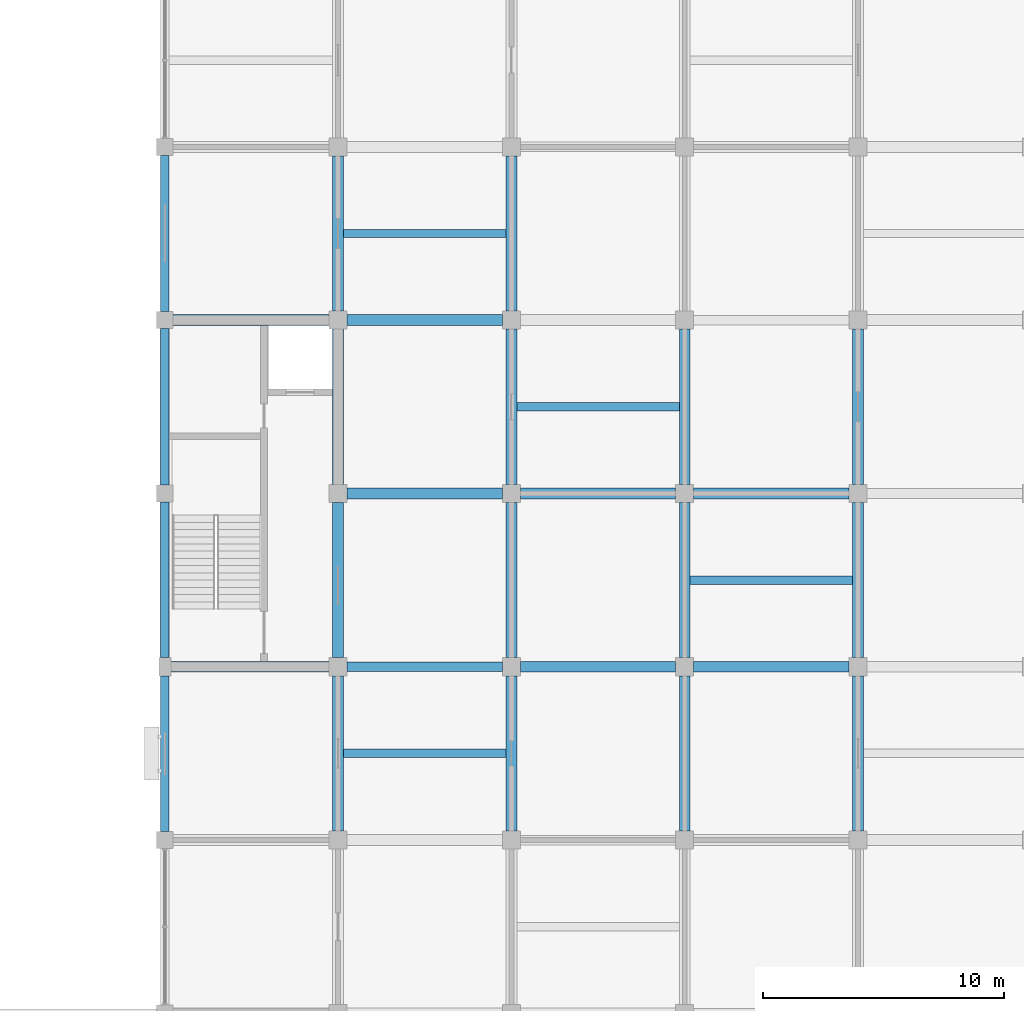
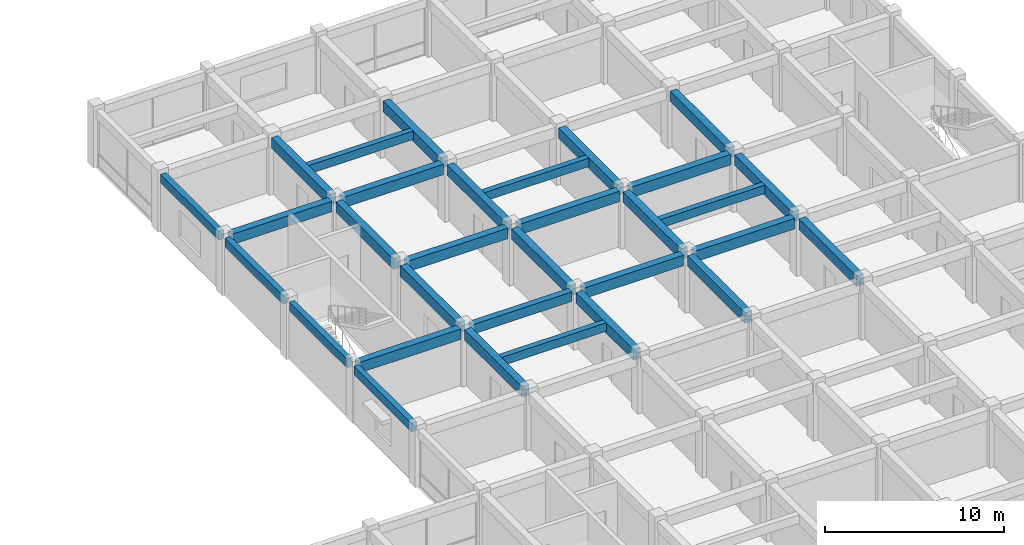
# One storey, part 9 of 31: 31 beams.
"""IFC4 building model written with IfcOpenShell, lengths in metres."""

from ifc_helpers import new_model, si_unit, direction, frame, origin, origin_2d, place, context, subcontext, project, spatial, rectangle, extrude, material, material_profile, profile_set, type_object, element, save


model = new_model("IFC4")

# Units and contexts
model_context = context("Model", 3, precision=1e-05, world=origin(), true_north=direction((0.0, 1.0)))
body_context = subcontext(model_context, "Body", "Model", "MODEL_VIEW")
ifc_project = project(units=[si_unit("LENGTHUNIT", "METRE"), si_unit("AREAUNIT", "SQUARE_METRE"), si_unit("VOLUMEUNIT", "CUBIC_METRE"), si_unit("PLANEANGLEUNIT", "RADIAN"), si_unit("MASSUNIT", "GRAM", prefix="KILO")], contexts=[model_context])

# Site, building, storey
site_placement = place(None, origin())
site = spatial("IfcSite", under=ifc_project, at=site_placement, CompositionType="ELEMENT")
building_placement = place(site_placement, origin())
building = spatial("IfcBuilding", under=site, at=building_placement, Name="Cendaluz Park School", CompositionType="ELEMENT")
storey_placement = place(building_placement, frame((0.0, 0.0, 14.39990234375)))
storey = spatial("IfcBuildingStorey", under=building, at=storey_placement, Name="L03", CompositionType="ELEMENT", Elevation=14.39990234375)

# Beams
ifc_material = material(Name="Concrete C40/50", Category="concrete")
ifc_material_profile_1 = material_profile(ifc_material, rectangle(XDim=0.449951171875, YDim=0.719970703125, at=origin_2d()), Name="RC 450x720", Category="concrete")
ifc_profile_set_1 = profile_set([ifc_material_profile_1], Name="Concrete C40/50")
beam_type_1 = type_object("IfcBeamType", Name="BM-RC02", PredefinedType="BEAM", material=ifc_profile_set_1)
beam_1_placement = place(storey_placement, frame((65.050048828125, 43.199951171875, 3.530029296875), z_axis=(1.0, 0.0, 0.0), x_axis=(0.0, 1.0, 0.0)))
element("IfcBeam", 1, at=beam_1_placement, inside=storey, type_object=beam_type_1, Name="BM-L03-BMRC02-0032", PredefinedType="BEAM", context=body_context, shape_type="SweptSolid", body=[
    extrude(rectangle(XDim=0.449951171875, YDim=0.719970703125, at=origin_2d()), origin(), (0.0, 0.0, 1.0), 6.574951171875),
])
beam_2_placement = place(storey_placement, frame((65.14990234375, 57.60009765625, 3.530029296875), z_axis=(1.0, 0.0, 0.0), x_axis=(0.0, 1.0, 0.0)))
element("IfcBeam", 2, at=beam_2_placement, inside=storey, type_object=beam_type_1, Name="BM-L03-BMRC02-0033", PredefinedType="BEAM", context=body_context, shape_type="SweptSolid", body=[
    extrude(rectangle(XDim=0.449951171875, YDim=0.719970703125, at=origin_2d()), origin(), (0.0, 0.0, 1.0), 6.47509765625),
])
for number, where, z_axis, x_axis, name in (
    (3, (72.375, 50.39990234375, 3.530029296875), (1.0, 0.0, 0.0), (0.0, 1.0, 0.0), "BM-L03-BMRC02-0042"),
    (4, (72.375, 57.60009765625, 3.530029296875), (1.0, 0.0, 0.0), (0.0, 1.0, 0.0), "BM-L03-BMRC02-0043"),
    (5, (79.574951171875, 43.199951171875, 3.530029296875), (1.0, 0.0, 0.0), (0.0, 1.0, 0.0), "BM-L03-BMRC02-0051"),
    (6, (79.574951171875, 50.39990234375, 3.530029296875), (1.0, 0.0, 0.0), (0.0, 1.0, 0.0), "BM-L03-BMRC02-0052"),
):
    element("IfcBeam", number, at=place(storey_placement, frame(where, z_axis=z_axis, x_axis=x_axis)), inside=storey, type_object=beam_type_1, Name=name, PredefinedType="BEAM", context=body_context, shape_type="SweptSolid", body=[
        extrude(rectangle(XDim=0.449951171875, YDim=0.719970703125, at=origin_2d()), origin(), (0.0, 0.0, 1.0), 6.449951171875),
    ])
for number, where, z_axis, x_axis, name in (
    (7, (86.77490234375, 43.199951171875, 3.530029296875), (1.0, 0.0, 0.0), (0.0, 1.0, 0.0), "BM-L03-BMRC02-0061"),
    (8, (86.77490234375, 50.39990234375, 3.530029296875), (1.0, 0.0, 0.0), (0.0, 1.0, 0.0), "BM-L03-BMRC02-0062"),
):
    element("IfcBeam", number, at=place(storey_placement, frame(where, z_axis=z_axis, x_axis=x_axis)), inside=storey, type_object=beam_type_1, Name=name, PredefinedType="BEAM", context=body_context, shape_type="SweptSolid", body=[
        extrude(rectangle(XDim=0.449951171875, YDim=0.719970703125, at=origin_2d()), origin(), (0.0, 0.0, 1.0), 6.4501953125),
    ])
for number, where, z_axis, x_axis, name in (
    (9, (72.0, 36.375, 3.530029296875), (0.0, 1.0, 0.0), (-1.0, 0.0, 0.0), "BM-L03-BMRC02-0145"),
    (10, (72.0, 43.574951171875, 3.530029296875), (0.0, 1.0, 0.0), (-1.0, 0.0, 0.0), "BM-L03-BMRC02-0146"),
):
    element("IfcBeam", number, at=place(storey_placement, frame(where, z_axis=z_axis, x_axis=x_axis)), inside=storey, type_object=beam_type_1, Name=name, PredefinedType="BEAM", context=body_context, shape_type="SweptSolid", body=[
        extrude(rectangle(XDim=0.449951171875, YDim=0.719970703125, at=origin_2d()), origin(), (0.0, 0.0, 1.0), 6.449951171875),
    ])
beam_3_placement = place(storey_placement, frame((72.0, 50.77490234375, 3.530029296875), z_axis=(0.0, 1.0, 0.0), x_axis=(-1.0, 0.0, 0.0)))
element("IfcBeam", 11, at=beam_3_placement, inside=storey, type_object=beam_type_1, Name="BM-L03-BMRC02-0147", PredefinedType="BEAM", context=body_context, shape_type="SweptSolid", body=[
    extrude(rectangle(XDim=0.449951171875, YDim=0.719970703125, at=origin_2d()), origin(), (0.0, 0.0, 1.0), 6.4501953125),
])
for number, where, z_axis, x_axis, name in (
    (12, (72.0, 57.97509765625, 3.530029296875), (0.0, 1.0, 0.0), (-1.0, 0.0, 0.0), "BM-L03-BMRC02-0148"),
    (13, (79.199951171875, 36.375, 3.530029296875), (0.0, 1.0, 0.0), (-1.0, 0.0, 0.0), "BM-L03-BMRC02-0154"),
    (14, (79.199951171875, 43.574951171875, 3.530029296875), (0.0, 1.0, 0.0), (-1.0, 0.0, 0.0), "BM-L03-BMRC02-0155"),
):
    element("IfcBeam", number, at=place(storey_placement, frame(where, z_axis=z_axis, x_axis=x_axis)), inside=storey, type_object=beam_type_1, Name=name, PredefinedType="BEAM", context=body_context, shape_type="SweptSolid", body=[
        extrude(rectangle(XDim=0.449951171875, YDim=0.719970703125, at=origin_2d()), origin(), (0.0, 0.0, 1.0), 6.449951171875),
    ])
beam_4_placement = place(storey_placement, frame((79.199951171875, 50.77490234375, 3.530029296875), z_axis=(0.0, 1.0, 0.0), x_axis=(-1.0, 0.0, 0.0)))
element("IfcBeam", 15, at=beam_4_placement, inside=storey, type_object=beam_type_1, Name="BM-L03-BMRC02-0156", PredefinedType="BEAM", context=body_context, shape_type="SweptSolid", body=[
    extrude(rectangle(XDim=0.449951171875, YDim=0.719970703125, at=origin_2d()), origin(), (0.0, 0.0, 1.0), 6.4501953125),
])
for number, where, z_axis, x_axis, name in (
    (16, (79.199951171875, 57.97509765625, 3.530029296875), (0.0, 1.0, 0.0), (-1.0, 0.0, 0.0), "BM-L03-BMRC02-0157"),
    (17, (86.39990234375, 36.375, 3.530029296875), (0.0, 1.0, 0.0), (-1.0, 0.0, 0.0), "BM-L03-BMRC02-0163"),
    (18, (86.39990234375, 43.574951171875, 3.530029296875), (0.0, 1.0, 0.0), (-1.0, 0.0, 0.0), "BM-L03-BMRC02-0164"),
):
    element("IfcBeam", number, at=place(storey_placement, frame(where, z_axis=z_axis, x_axis=x_axis)), inside=storey, type_object=beam_type_1, Name=name, PredefinedType="BEAM", context=body_context, shape_type="SweptSolid", body=[
        extrude(rectangle(XDim=0.449951171875, YDim=0.719970703125, at=origin_2d()), origin(), (0.0, 0.0, 1.0), 6.449951171875),
    ])
beam_5_placement = place(storey_placement, frame((86.39990234375, 50.77490234375, 3.530029296875), z_axis=(0.0, 1.0, 0.0), x_axis=(-1.0, 0.0, 0.0)))
element("IfcBeam", 19, at=beam_5_placement, inside=storey, type_object=beam_type_1, Name="BM-L03-BMRC02-0165", PredefinedType="BEAM", context=body_context, shape_type="SweptSolid", body=[
    extrude(rectangle(XDim=0.449951171875, YDim=0.719970703125, at=origin_2d()), origin(), (0.0, 0.0, 1.0), 6.4501953125),
])
for number, where, z_axis, x_axis, name in (
    (20, (93.60009765625, 36.375, 3.530029296875), (0.0, 1.0, 0.0), (-1.0, 0.0, 0.0), "BM-L03-BMRC02-0172"),
    (21, (93.60009765625, 43.574951171875, 3.530029296875), (0.0, 1.0, 0.0), (-1.0, 0.0, 0.0), "BM-L03-BMRC02-0173"),
):
    element("IfcBeam", number, at=place(storey_placement, frame(where, z_axis=z_axis, x_axis=x_axis)), inside=storey, type_object=beam_type_1, Name=name, PredefinedType="BEAM", context=body_context, shape_type="SweptSolid", body=[
        extrude(rectangle(XDim=0.449951171875, YDim=0.719970703125, at=origin_2d()), origin(), (0.0, 0.0, 1.0), 6.449951171875),
    ])
beam_6_placement = place(storey_placement, frame((93.60009765625, 50.77490234375, 3.530029296875), z_axis=(0.0, 1.0, 0.0), x_axis=(-1.0, 0.0, 0.0)))
element("IfcBeam", 22, at=beam_6_placement, inside=storey, type_object=beam_type_1, Name="BM-L03-BMRC02-0174", PredefinedType="BEAM", context=body_context, shape_type="SweptSolid", body=[
    extrude(rectangle(XDim=0.449951171875, YDim=0.719970703125, at=origin_2d()), origin(), (0.0, 0.0, 1.0), 6.4501953125),
])
ifc_material_profile_2 = material_profile(ifc_material, rectangle(XDim=0.39990234375, YDim=0.64990234375, at=origin_2d()), Name="RC 400x650", Category="concrete")
ifc_profile_set_2 = profile_set([ifc_material_profile_2], Name="Concrete C40/50")
beam_type_2 = type_object("IfcBeamType", Name="BM-RC03", PredefinedType="T_BEAM", material=ifc_profile_set_2)
beam_7_placement = place(storey_placement, frame((72.375, 43.199951171875, 3.565185546875), z_axis=(1.0, 0.0, 0.0), x_axis=(0.0, 1.0, 0.0)))
element("IfcBeam", 23, at=beam_7_placement, inside=storey, type_object=beam_type_2, Name="BM-L03-BMRC03-0041", PredefinedType="T_BEAM", context=body_context, shape_type="SweptSolid", body=[
    extrude(rectangle(XDim=0.39990234375, YDim=0.64990234375, at=origin_2d()), origin(), (0.0, 0.0, 1.0), 6.449951171875),
])
ifc_material_profile_3 = material_profile(ifc_material, rectangle(XDim=0.35009765625, YDim=0.580078125, at=origin_2d()), Name="RC 350x580", Category="concrete")
ifc_profile_set_3 = profile_set([ifc_material_profile_3], Name="Concrete C40/50")
beam_type_3 = type_object("IfcBeamType", Name="BM-RC04", PredefinedType="LINTEL", material=ifc_profile_set_3)
beam_8_placement = place(storey_placement, frame((64.800048828125, 36.35009765625, 3.60009765625), z_axis=(0.0, 1.0, 0.0), x_axis=(-1.0, 0.0, 0.0)))
element("IfcBeam", 24, at=beam_8_placement, inside=storey, type_object=beam_type_3, Name="BM-L03-BMRC04-0136", PredefinedType="LINTEL", context=body_context, shape_type="SweptSolid", body=[
    extrude(rectangle(XDim=0.35009765625, YDim=0.580078125, at=origin_2d()), origin(), (0.0, 0.0, 1.0), 6.474853515625),
])
beam_9_placement = place(storey_placement, frame((64.800048828125, 43.574951171875, 3.60009765625), z_axis=(0.0, 1.0, 0.0), x_axis=(-1.0, 0.0, 0.0)))
element("IfcBeam", 25, at=beam_9_placement, inside=storey, type_object=beam_type_3, Name="BM-L03-BMRC04-0137", PredefinedType="LINTEL", context=body_context, shape_type="SweptSolid", body=[
    extrude(rectangle(XDim=0.35009765625, YDim=0.580078125, at=origin_2d()), origin(), (0.0, 0.0, 1.0), 6.47509765625),
])
for number, where, z_axis, x_axis, name in (
    (26, (64.800048828125, 50.75, 3.60009765625), (0.0, 1.0, 0.0), (-1.0, 0.0, 0.0), "BM-L03-BMRC04-0138"),
    (27, (64.800048828125, 57.949951171875, 3.60009765625), (0.0, 1.0, 0.0), (-1.0, 0.0, 0.0), "BM-L03-BMRC04-0139"),
):
    element("IfcBeam", number, at=place(storey_placement, frame(where, z_axis=z_axis, x_axis=x_axis)), inside=storey, type_object=beam_type_3, Name=name, PredefinedType="LINTEL", context=body_context, shape_type="SweptSolid", body=[
        extrude(rectangle(XDim=0.35009765625, YDim=0.580078125, at=origin_2d()), origin(), (0.0, 0.0, 1.0), 6.5),
    ])
ifc_material_profile_4 = material_profile(ifc_material, rectangle(XDim=0.35009765625, YDim=0.580078125, at=origin_2d()), Name="RC 350x580", Category="concrete")
ifc_profile_set_4 = profile_set([ifc_material_profile_4], Name="Concrete C40/50")
beam_type_4 = type_object("IfcBeamType", Name="JT-RC01", PredefinedType="JOIST", material=ifc_profile_set_4)
for number, where, z_axis, x_axis, name in (
    (28, (72.22509765625, 39.60009765625, 3.60009765625), (1.0, 0.0, 0.0), (0.0, 1.0, 0.0), "BM-L03-JTRC01-0225"),
    (29, (72.22509765625, 61.199951171875, 3.60009765625), (1.0, 0.0, 0.0), (0.0, 1.0, 0.0), "BM-L03-JTRC01-0226"),
    (30, (79.425048828125, 54.0, 3.60009765625), (1.0, 0.0, 0.0), (0.0, 1.0, 0.0), "BM-L03-JTRC01-0229"),
    (31, (86.625, 46.800048828125, 3.60009765625), (1.0, 0.0, 0.0), (0.0, 1.0, 0.0), "BM-L03-JTRC01-0231"),
):
    element("IfcBeam", number, at=place(storey_placement, frame(where, z_axis=z_axis, x_axis=x_axis)), inside=storey, type_object=beam_type_4, Name=name, PredefinedType="JOIST", context=body_context, shape_type="SweptSolid", body=[
        extrude(rectangle(XDim=0.35009765625, YDim=0.580078125, at=origin_2d()), origin(), (0.0, 0.0, 1.0), 6.75),
    ])

save(model, "model.ifc")
